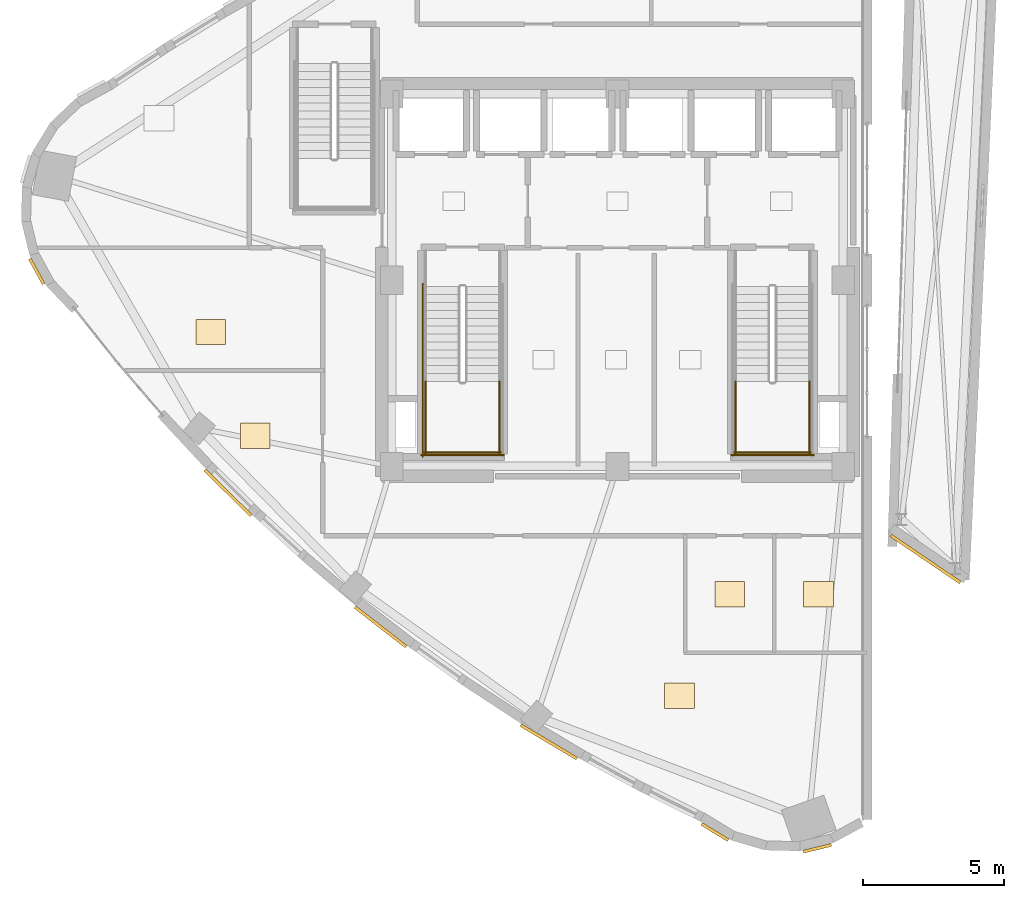
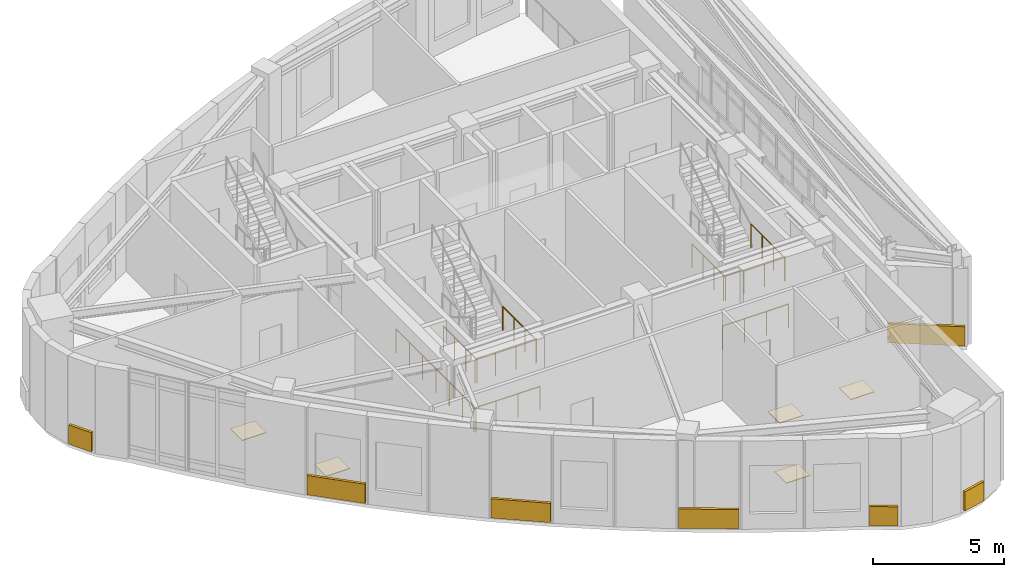
# One storey, part 17 of 19: 12 coverings, 9 railings.
"""IFC4 building model written with IfcOpenShell, lengths in metres."""

from ifc_helpers import new_model, si_unit, direction, frame, origin, origin_2d, place, context, subcontext, project, spatial, rectangle, circle, extrude, material, layer, layer_set, type_object, element, save


model = new_model("IFC4")

# Units and contexts
model_context = context("Model", 3, precision=1e-05, world=origin(), true_north=direction((0.0, 1.0)))
body_context = subcontext(model_context, "Body", "Model", "MODEL_VIEW")
ifc_project = project(units=[si_unit("LENGTHUNIT", "METRE"), si_unit("AREAUNIT", "SQUARE_METRE"), si_unit("VOLUMEUNIT", "CUBIC_METRE"), si_unit("PLANEANGLEUNIT", "RADIAN"), si_unit("MASSUNIT", "GRAM", prefix="KILO")], contexts=[model_context])

# Site, building, storey
site_placement = place(None, origin())
site = spatial("IfcSite", under=ifc_project, at=site_placement, CompositionType="ELEMENT")
building_placement = place(site_placement, origin())
building = spatial("IfcBuilding", under=site, at=building_placement, Name="Ndelora Gate Hotel", CompositionType="ELEMENT")
storey_placement = place(building_placement, frame((0.0, 0.0, 299.199951171875)))
storey = spatial("IfcBuildingStorey", under=building, at=storey_placement, Name="L74", CompositionType="ELEMENT", Elevation=299.199951171875)

# Coverings
ifc_material_1 = material(Name="Terracotta Fired Clay Brick Slip Cladding", Category="masonry")
ifc_layer_1 = layer(ifc_material_1, 0.110107421875)
ifc_layer_set_1 = layer_set([ifc_layer_1], Name="Terracotta Fired Clay Brick Slip Cladding")
covering_type_1 = type_object("IfcCoveringType", Name="COV-CLAD-BRK", PredefinedType="CLADDING", material=ifc_layer_set_1)
covering_1_placement = place(storey_placement, frame((-20.577880859375, 0.3115234375, 0.10009765625), z_axis=(0.0, 0.0, 1.0), x_axis=(-0.478538613714, 0.878066509545, 0.0)))
element("IfcCovering", 1, at=covering_1_placement, inside=storey, type_object=covering_type_1, Name="L74 Rounded-Corner Brick Cladding Band 13", PredefinedType="CLADDING", context=body_context, shape_type="SweptSolid", body=[
    extrude(rectangle(XDim=1.01611328125, YDim=0.110107421875, at=origin_2d()), origin(), (0.0, 0.0, 1.0), 0.89990234375),
])
covering_2_placement = place(storey_placement, frame((-13.801025390625, -7.532470703125, 0.10009765625), z_axis=(0.0, 0.0, 1.0), x_axis=(-0.709816657042, 0.704386480127, 0.0)))
element("IfcCovering", 2, at=covering_2_placement, inside=storey, type_object=covering_type_1, Name="L74 Rounded-Corner Brick Cladding Band 19", PredefinedType="CLADDING", context=body_context, shape_type="SweptSolid", body=[
    extrude(rectangle(XDim=2.301025390625, YDim=0.110107421875, at=origin_2d()), origin(), (0.0, 0.0, 1.0), 0.89990234375),
])
covering_3_placement = place(storey_placement, frame((-8.393798828125, -12.284912109375, 0.10009765625), z_axis=(0.0, 0.0, 1.0), x_axis=(-0.789833986695, 0.613320693815, 0.0)))
element("IfcCovering", 3, at=covering_3_placement, inside=storey, type_object=covering_type_1, Name="L74 Rounded-Corner Brick Cladding Band 22", PredefinedType="CLADDING", context=body_context, shape_type="SweptSolid", body=[
    extrude(rectangle(XDim=2.2890625, YDim=0.110107421875, at=origin_2d()), origin(), (0.0, 0.0, 1.0), 0.89990234375),
])
covering_4_placement = place(storey_placement, frame((-2.436279296875, -16.357421875, 0.10009765625), z_axis=(0.0, 0.0, 1.0), x_axis=(-0.857885593737, 0.513840741921, 0.0)))
element("IfcCovering", 4, at=covering_4_placement, inside=storey, type_object=covering_type_1, Name="L74 Rounded-Corner Brick Cladding Band 25", PredefinedType="CLADDING", context=body_context, shape_type="SweptSolid", body=[
    extrude(rectangle(XDim=2.31298828125, YDim=0.110107421875, at=origin_2d()), origin(), (0.0, 0.0, 1.0), 0.89990234375),
])
covering_5_placement = place(storey_placement, frame((3.449462890625, -19.552734375, 0.10009765625), z_axis=(0.0, 0.0, 1.0), x_axis=(-0.853368878608, 0.521307545528, 0.0)))
element("IfcCovering", 5, at=covering_5_placement, inside=storey, type_object=covering_type_1, Name="L74 Rounded-Corner Brick Cladding Band 28", PredefinedType="CLADDING", context=body_context, shape_type="SweptSolid", body=[
    extrude(rectangle(XDim=1.09912109375, YDim=0.110107421875, at=origin_2d()), origin(), (0.0, 0.0, 1.0), 0.89990234375),
])
covering_6_placement = place(storey_placement, frame((7.0830078125, -20.12890625, 0.10009765625), z_axis=(0.0, 0.0, 1.0), x_axis=(0.972002025815, 0.234972470325, 0.0)))
element("IfcCovering", 6, at=covering_6_placement, inside=storey, type_object=covering_type_1, Name="L74 Rounded-Corner Brick Cladding Band 34", PredefinedType="CLADDING", context=body_context, shape_type="SweptSolid", body=[
    extrude(rectangle(XDim=1.01611328125, YDim=0.110107421875, at=origin_2d()), origin(), (0.0, 0.0, 1.0), 0.89990234375),
])
covering_7_placement = place(storey_placement, frame((10.909423828125, -9.8759765625, 0.10009765625), z_axis=(0.0, 0.0, 1.0), x_axis=(-0.826884319778, 0.562372049186, 0.0)))
element("IfcCovering", 7, at=covering_7_placement, inside=storey, type_object=covering_type_1, Name="L74 Rounded-Corner Brick Cladding Band 1", PredefinedType="CLADDING", context=body_context, shape_type="SweptSolid", body=[
    extrude(rectangle(XDim=2.98291015625, YDim=0.110107421875, at=origin_2d()), origin(), (0.0, 0.0, 1.0), 0.89990234375),
])
ifc_material_2 = material(Name="Engineered Highland Oak Parquet", Category="wood")
ifc_layer_2 = layer(ifc_material_2, 0.030029296875)
ifc_layer_set_2 = layer_set([ifc_layer_2], Name="Engineered Highland Oak Parquet")
covering_type_2 = type_object("IfcCoveringType", Name="COV-FLR-PARQ", PredefinedType="FLOORING", material=ifc_layer_set_2)
for number, where, z_axis, x_axis, name in (
    (8, (-14.411865234375, -1.8349609375, 0.0), (0.0, 0.0, 1.0), (1.0, 0.0, 0.0), "L74 Broadcast Media Conference Room Oak Parquet Flooring"),
    (9, (2.19775390625, -14.725341796875, 0.0), (0.0, 0.0, 1.0), (1.0, 0.0, 0.0), "L74 VIP Diplomatic Banquet Room Oak Parquet Flooring"),
    (10, (-12.832275390625, -5.51220703125, 0.0), (0.0, 0.0, 1.0), (1.0, 0.0, 0.0), "L74 Horizon Sunset Cocktail Bar Oak Parquet Flooring"),
    (11, (3.97509765625, -11.125, 0.0), (0.0, 0.0, 1.0), (1.0, 0.0, 0.0), "L74 Male Public Restroom Oak Parquet Flooring"),
    (12, (7.119873046875, -11.125, 0.0), (0.0, 0.0, 1.0), (1.0, 0.0, 0.0), "L74 Accessible WC Oak Parquet Flooring"),
):
    element("IfcCovering", number, at=place(storey_placement, frame(where, z_axis=z_axis, x_axis=x_axis)), inside=storey, type_object=covering_type_2, Name=name, PredefinedType="FLOORING", context=body_context, shape_type="SweptSolid", body=[
        extrude(rectangle(XDim=1.050048828125, YDim=0.89990234375, at=origin_2d()), origin(), (0.0, 0.0, 1.0), 0.030029296875),
    ])

# Railings
ifc_material_3 = material(Name="Painted Galvanized Steel Balustrade", Category="steel")
ifc_layer_3 = layer(ifc_material_3, 0.06005859375)
ifc_layer_set_3 = layer_set([ifc_layer_3], Name="Painted Galvanized Steel Balustrade")
railing_type = type_object("IfcRailingType", Name="RL-STAIR-GD", PredefinedType="GUARDRAIL", material=ifc_layer_set_3)
for number, where, name in (
    (13, (-6.800048828125, -3.590087890625, 2.199951171875), "L74 ST4 stair guard 3"),
    (14, (-4.179931640625, -3.590087890625, 2.199951171875), "L74 ST4 stair guard 4"),
):
    element("IfcRailing", number, at=place(storey_placement, frame(where)), inside=storey, type_object=railing_type, Name=name, PredefinedType="GUARDRAIL", context=body_context, shape_type="SweptSolid", body=[
        extrude(circle(Radius=0.02392578125, at=origin_2d()), frame((0.0, 0.0, 1.10595703125), z_axis=(0.0, -1.0, 0.0), x_axis=(1.0, 0.0, 0.0)), (0.0, 0.0, 1.0), 2.559814453125),
        extrude(circle(Radius=0.02099609375, at=origin_2d()), origin(), (0.0, 0.0, 1.0), 1.081787109375),
        extrude(circle(Radius=0.02099609375, at=origin_2d()), frame((0.0, -0.853271484375, 0.0)), (0.0, 0.0, 1.0), 1.081787109375),
        extrude(circle(Radius=0.02099609375, at=origin_2d()), frame((0.0, -1.70654296875, 0.0)), (0.0, 0.0, 1.0), 1.081787109375),
        extrude(circle(Radius=0.02099609375, at=origin_2d()), frame((0.0, -2.559814453125, 0.0)), (0.0, 0.0, 1.0), 1.081787109375),
    ])
railing_1_placement = place(storey_placement, frame((-6.85009765625, -6.10009765625, 2.199951171875)))
element("IfcRailing", 15, at=railing_1_placement, inside=storey, type_object=railing_type, Name="L74 ST4 stair guard 5", PredefinedType="GUARDRAIL", context=body_context, shape_type="SweptSolid", body=[
    extrude(circle(Radius=0.02392578125, at=origin_2d()), frame((0.0, 0.0, 1.10595703125), z_axis=(1.0, 0.0, 0.0), x_axis=(0.0, 1.0, 0.0)), (0.0, 0.0, 1.0), 2.72021484375),
    extrude(circle(Radius=0.02099609375, at=origin_2d()), origin(), (0.0, 0.0, 1.0), 1.081787109375),
    extrude(circle(Radius=0.02099609375, at=origin_2d()), frame((0.90673828125, 0.0, 0.0)), (0.0, 0.0, 1.0), 1.081787109375),
    extrude(circle(Radius=0.02099609375, at=origin_2d()), frame((1.8134765625, 0.0, 0.0)), (0.0, 0.0, 1.0), 1.081787109375),
    extrude(circle(Radius=0.02099609375, at=origin_2d()), frame((2.72021484375, 0.0, 0.0)), (0.0, 0.0, 1.0), 1.081787109375),
])
railing_2_placement = place(storey_placement, frame((-6.89990234375, -0.1298828125, 0.0)))
element("IfcRailing", 16, at=railing_2_placement, inside=storey, type_object=railing_type, Name="L74 ST4 stair guard 10", PredefinedType="GUARDRAIL", context=body_context, shape_type="SweptSolid", body=[
    extrude(circle(Radius=0.02392578125, at=origin_2d()), frame((0.0, 0.0, 1.10595703125), z_axis=(0.0, -1.0, 0.0), x_axis=(1.0, 0.0, 0.0)), (0.0, 0.0, 1.0), 6.1201171875),
    extrude(circle(Radius=0.02099609375, at=origin_2d()), origin(), (0.0, 0.0, 1.0), 1.081787109375),
    extrude(circle(Radius=0.02099609375, at=origin_2d()), frame((0.0, -1.02001953125, 0.0)), (0.0, 0.0, 1.0), 1.081787109375),
    extrude(circle(Radius=0.02099609375, at=origin_2d()), frame((0.0, -2.0400390625, 0.0)), (0.0, 0.0, 1.0), 1.081787109375),
    extrude(circle(Radius=0.02099609375, at=origin_2d()), frame((0.0, -3.06005859375, 0.0)), (0.0, 0.0, 1.0), 1.081787109375),
    extrude(circle(Radius=0.02099609375, at=origin_2d()), frame((0.0, -4.080078125, 0.0)), (0.0, 0.0, 1.0), 1.081787109375),
    extrude(circle(Radius=0.02099609375, at=origin_2d()), frame((0.0, -5.10009765625, 0.0)), (0.0, 0.0, 1.0), 1.081787109375),
    extrude(circle(Radius=0.02099609375, at=origin_2d()), frame((0.0, -6.1201171875, 0.0)), (0.0, 0.0, 1.0), 1.081787109375),
])
railing_3_placement = place(storey_placement, frame((-6.949951171875, -6.199951171875, 0.0)))
element("IfcRailing", 17, at=railing_3_placement, inside=storey, type_object=railing_type, Name="L74 ST4 stair guard 12", PredefinedType="GUARDRAIL", context=body_context, shape_type="SweptSolid", body=[
    extrude(circle(Radius=0.02392578125, at=origin_2d()), frame((0.0, 0.0, 1.10595703125), z_axis=(1.0, 0.0, 0.0), x_axis=(0.0, 1.0, 0.0)), (0.0, 0.0, 1.0), 2.919921875),
    extrude(circle(Radius=0.02099609375, at=origin_2d()), origin(), (0.0, 0.0, 1.0), 1.081787109375),
    extrude(circle(Radius=0.02099609375, at=origin_2d()), frame((0.973388671875, 0.0, 0.0)), (0.0, 0.0, 1.0), 1.081787109375),
    extrude(circle(Radius=0.02099609375, at=origin_2d()), frame((1.946533203125, 0.0, 0.0)), (0.0, 0.0, 1.0), 1.081787109375),
    extrude(circle(Radius=0.02099609375, at=origin_2d()), frame((2.919921875, 0.0, 0.0)), (0.0, 0.0, 1.0), 1.081787109375),
])
for number, where, name in (
    (18, (4.179931640625, -3.590087890625, 2.199951171875), "L74 ST5 stair guard 3"),
    (19, (6.800048828125, -3.590087890625, 2.199951171875), "L74 ST5 stair guard 4"),
):
    element("IfcRailing", number, at=place(storey_placement, frame(where)), inside=storey, type_object=railing_type, Name=name, PredefinedType="GUARDRAIL", context=body_context, shape_type="SweptSolid", body=[
        extrude(circle(Radius=0.02392578125, at=origin_2d()), frame((0.0, 0.0, 1.10595703125), z_axis=(0.0, -1.0, 0.0), x_axis=(1.0, 0.0, 0.0)), (0.0, 0.0, 1.0), 2.559814453125),
        extrude(circle(Radius=0.02099609375, at=origin_2d()), origin(), (0.0, 0.0, 1.0), 1.081787109375),
        extrude(circle(Radius=0.02099609375, at=origin_2d()), frame((0.0, -0.853271484375, 0.0)), (0.0, 0.0, 1.0), 1.081787109375),
        extrude(circle(Radius=0.02099609375, at=origin_2d()), frame((0.0, -1.70654296875, 0.0)), (0.0, 0.0, 1.0), 1.081787109375),
        extrude(circle(Radius=0.02099609375, at=origin_2d()), frame((0.0, -2.559814453125, 0.0)), (0.0, 0.0, 1.0), 1.081787109375),
    ])
railing_4_placement = place(storey_placement, frame((4.1298828125, -6.10009765625, 2.199951171875)))
element("IfcRailing", 20, at=railing_4_placement, inside=storey, type_object=railing_type, Name="L74 ST5 stair guard 5", PredefinedType="GUARDRAIL", context=body_context, shape_type="SweptSolid", body=[
    extrude(circle(Radius=0.02392578125, at=origin_2d()), frame((0.0, 0.0, 1.10595703125), z_axis=(1.0, 0.0, 0.0), x_axis=(0.0, 1.0, 0.0)), (0.0, 0.0, 1.0), 2.72021484375),
    extrude(circle(Radius=0.02099609375, at=origin_2d()), origin(), (0.0, 0.0, 1.0), 1.081787109375),
    extrude(circle(Radius=0.02099609375, at=origin_2d()), frame((0.90673828125, 0.0, 0.0)), (0.0, 0.0, 1.0), 1.081787109375),
    extrude(circle(Radius=0.02099609375, at=origin_2d()), frame((1.8134765625, 0.0, 0.0)), (0.0, 0.0, 1.0), 1.081787109375),
    extrude(circle(Radius=0.02099609375, at=origin_2d()), frame((2.72021484375, 0.0, 0.0)), (0.0, 0.0, 1.0), 1.081787109375),
])
railing_5_placement = place(storey_placement, frame((4.030029296875, -6.199951171875, 0.0)))
element("IfcRailing", 21, at=railing_5_placement, inside=storey, type_object=railing_type, Name="L74 ST5 stair guard 12", PredefinedType="GUARDRAIL", context=body_context, shape_type="SweptSolid", body=[
    extrude(circle(Radius=0.02392578125, at=origin_2d()), frame((0.0, 0.0, 1.10595703125), z_axis=(1.0, 0.0, 0.0), x_axis=(0.0, 1.0, 0.0)), (0.0, 0.0, 1.0), 2.919921875),
    extrude(circle(Radius=0.02099609375, at=origin_2d()), origin(), (0.0, 0.0, 1.0), 1.081787109375),
    extrude(circle(Radius=0.02099609375, at=origin_2d()), frame((0.973388671875, 0.0, 0.0)), (0.0, 0.0, 1.0), 1.081787109375),
    extrude(circle(Radius=0.02099609375, at=origin_2d()), frame((1.946533203125, 0.0, 0.0)), (0.0, 0.0, 1.0), 1.081787109375),
    extrude(circle(Radius=0.02099609375, at=origin_2d()), frame((2.919921875, 0.0, 0.0)), (0.0, 0.0, 1.0), 1.081787109375),
])

save(model, "model.ifc")
